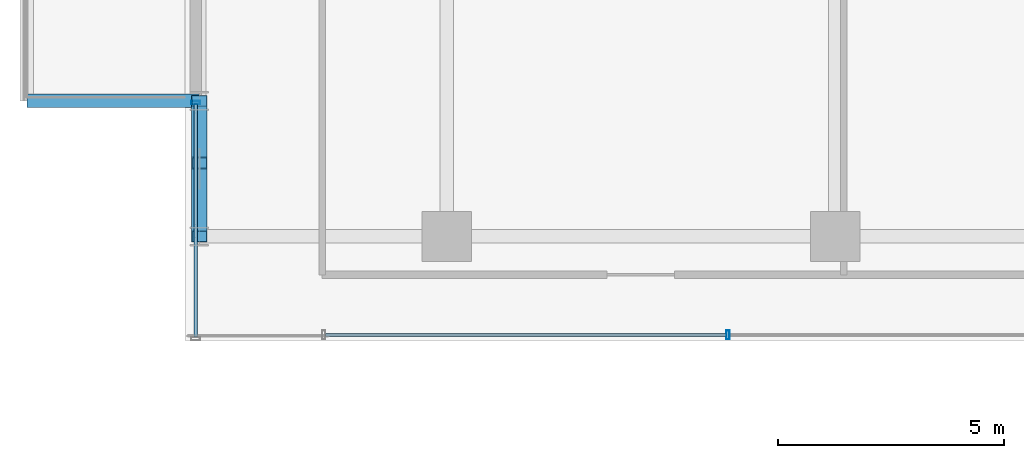
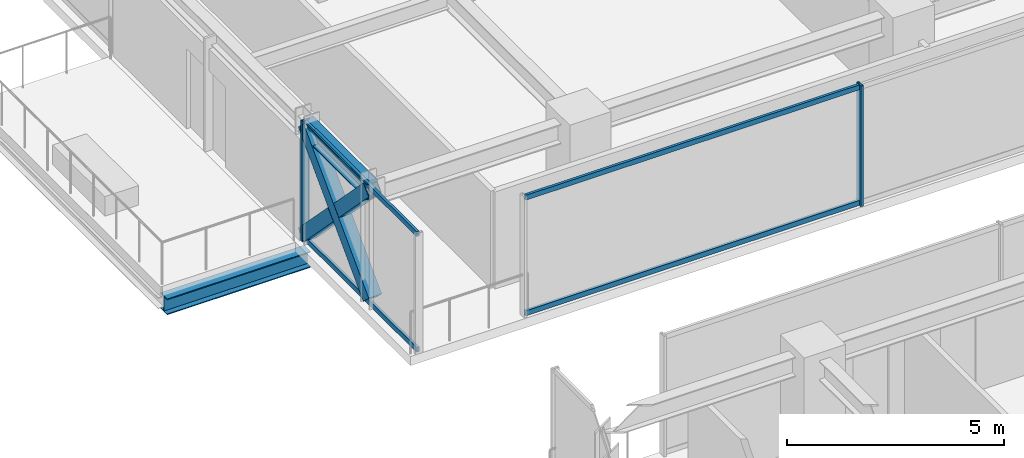
# One storey, part 9 of 43: 9 members, 2 beams, 2 elements without a shape of their own.
"""IFC4 building model written with IfcOpenShell, lengths in metres."""

from ifc_helpers import new_model, si_unit, direction, frame, origin, origin_2d, place, context, subcontext, project, spatial, hollow_rectangle, i_section, extrude, source, transform, mapped, material, material_profile, profile_set, type_object, element, aggregate, save


model = new_model("IFC4")

# Units and contexts
model_context = context("Model", 3, precision=1e-05, world=origin(), true_north=direction((0.0, 1.0)))
body_context = subcontext(model_context, "Body", "Model", "MODEL_VIEW")
ifc_project = project(units=[si_unit("LENGTHUNIT", "METRE"), si_unit("AREAUNIT", "SQUARE_METRE"), si_unit("VOLUMEUNIT", "CUBIC_METRE"), si_unit("PLANEANGLEUNIT", "RADIAN"), si_unit("MASSUNIT", "GRAM", prefix="KILO")], contexts=[model_context])

# Site, building, storey
site_placement = place(None, origin())
site = spatial("IfcSite", under=ifc_project, at=site_placement, CompositionType="ELEMENT")
building_placement = place(site_placement, origin())
building = spatial("IfcBuilding", under=site, at=building_placement, Name="Nahalor Promenade Grand Hotel", CompositionType="ELEMENT")
storey_placement = place(building_placement, frame((0.0, 0.0, 181.85009765625)))
storey = spatial("IfcBuildingStorey", under=building, at=storey_placement, Name="L46", CompositionType="ELEMENT", Elevation=181.85009765625)

# Beams
ifc_material_1 = material(Name="Steel S355JR", Category="steel")
ifc_material_profile_1 = material_profile(ifc_material_1, i_section(OverallWidth=0.3, OverallDepth=0.45, WebThickness=0.014, FlangeThickness=0.026, at=origin_2d()), Name="HEB 450")
ifc_profile_set_1 = profile_set([ifc_material_profile_1], Name="Steel S355JR")
beam_type_1 = type_object("IfcBeamType", Name="Beam-Outrigger-HEB450", PredefinedType="BEAM", material=ifc_profile_set_1)
shared_shape_1 = source(origin(), body_context, "Body", "SweptSolid", [
    extrude(i_section(OverallWidth=0.3, OverallDepth=0.45, WebThickness=0.014, FlangeThickness=0.026, at=origin_2d()), origin(), (0.0, 0.0, 1.0), 3.820068359375),
])
beam_1_placement = place(storey_placement, frame((-26.300048828125, 8.39990234375, -0.505126953125), z_axis=(1.0, 0.0, 0.0), x_axis=(0.0, 1.0, 0.0)))
element("IfcBeam", 1, at=beam_1_placement, inside=storey, type_object=beam_type_1, Name="BM-L46-BC-02-1", PredefinedType="BEAM", context=body_context, shape_type="MappedRepresentation", body=[
    mapped(shared_shape_1, transform((0.0, 0.0, 0.0), scale=1.0)),
])
ifc_material_profile_2 = material_profile(ifc_material_1, i_section(OverallWidth=0.3, OverallDepth=0.45, WebThickness=0.014, FlangeThickness=0.026, at=origin_2d()), Name="HEB 450")
ifc_profile_set_2 = profile_set([ifc_material_profile_2], Name="Steel S355JR")
beam_type_2 = type_object("IfcBeamType", Name="Beam-Spandrel-HEB450", PredefinedType="SPANDREL", material=ifc_profile_set_2)
shared_shape_2 = source(origin(), body_context, "Body", "SweptSolid", [
    extrude(i_section(OverallWidth=0.3, OverallDepth=0.45, WebThickness=0.014, FlangeThickness=0.026, at=origin_2d()), origin(), (0.0, 0.0, 1.0), 3.0),
])
beam_2_placement = place(storey_placement, frame((-22.47998046875, 5.39990234375, 3.164794921875), z_axis=(0.0, 1.0, 0.0), x_axis=(-1.0, 0.0, 0.0)))
element("IfcBeam", 2, at=beam_2_placement, inside=storey, type_object=beam_type_2, Name="BM-L46-SP-W-3", PredefinedType="SPANDREL", context=body_context, shape_type="MappedRepresentation", body=[
    mapped(shared_shape_2, transform((0.0, 0.0, 0.0), scale=1.0)),
])

# Members
ifc_material_profile_3 = material_profile(ifc_material_1, hollow_rectangle(XDim=0.35, YDim=0.35, WallThickness=0.02, at=origin_2d()), Name="SHS 350x350x20")
ifc_profile_set_3 = profile_set([ifc_material_profile_3], Name="Steel S355JR")
member_type_1 = type_object("IfcMemberType", Name="Mem-VoidBrace-SHS350", PredefinedType="BRACE", material=ifc_profile_set_3)
shared_shape_3 = source(origin(), body_context, "Body", "SweptSolid", [
    extrude(hollow_rectangle(XDim=0.35, YDim=0.35, WallThickness=0.02, at=origin_2d()), origin(), (0.0, 0.0, 1.0), 1.96630859375),
])
member_1_placement = place(storey_placement, frame((-22.47998046875, 8.39990234375, 0.14990234375), z_axis=(0.0, -0.696537426897, 0.717520461682), x_axis=(1.0, 0.0, 0.0)))
element("IfcMember", 3, at=member_1_placement, inside=storey, type_object=member_type_1, Name="EXO-L46-VX2-W1A", PredefinedType="BRACE", context=body_context, shape_type="MappedRepresentation", body=[
    mapped(shared_shape_3, transform((0.0, 0.0, 0.0), scale=1.0)),
])
shared_shape_4 = source(origin(), body_context, "Body", "SweptSolid", [
    extrude(hollow_rectangle(XDim=0.35, YDim=0.35, WallThickness=0.02, at=origin_2d()), origin(), (0.0, 0.0, 1.0), 4.306884765625),
])
member_2_placement = place(storey_placement, frame((-22.47998046875, 5.39990234375, 0.14990234375), z_axis=(0.0, 0.696570665899, 0.717488193219), x_axis=(-1.0, 0.0, 0.0)))
element("IfcMember", 4, at=member_2_placement, inside=storey, type_object=member_type_1, Name="EXO-L46-VX1-W1", PredefinedType="BRACE", context=body_context, shape_type="MappedRepresentation", body=[
    mapped(shared_shape_4, transform((0.0, 0.0, 0.0), scale=1.0)),
])
shared_shape_5 = source(origin(), body_context, "Body", "SweptSolid", [
    extrude(hollow_rectangle(XDim=0.35, YDim=0.35, WallThickness=0.02, at=origin_2d()), origin(), (0.0, 0.0, 1.0), 1.966552734375),
])
member_3_placement = place(storey_placement, frame((-22.47998046875, 6.769775390625, 1.8291015625), z_axis=(0.0, -0.696601340579, 0.71745841155), x_axis=(1.0, 0.0, 0.0)))
element("IfcMember", 5, at=member_3_placement, inside=storey, type_object=member_type_1, Name="EXO-L46-VX2-W1B", PredefinedType="BRACE", context=body_context, shape_type="MappedRepresentation", body=[
    mapped(shared_shape_5, transform((0.0, 0.0, 0.0), scale=1.0)),
])

# Curtain wall, members
ifc_material_2 = material(Name="Anodised Bronze Aluminium EN AW-6063 T6", Category="aluminium")
curtain_wall_type = type_object("IfcCurtainWallType", Name="CW3 Elliptical-Void Collar Unitised Curtain Wall", PredefinedType="USERDEFINED", material=ifc_material_2)
curtain_wall_1_placement = place(storey_placement, origin())
curtain_wall_1 = element("IfcCurtainWall", 6, at=curtain_wall_1_placement, inside=storey, type_object=curtain_wall_type, Name="L46 Curtain Wall CW-L46-W-2", ObjectType="UNITISED_CURTAIN_WALL", PredefinedType="USERDEFINED")
ifc_material_profile_4 = material_profile(ifc_material_2, hollow_rectangle(XDim=0.07, YDim=0.14, WallThickness=0.004, at=origin_2d()), Name="CWT 70x140x4")
ifc_profile_set_4 = profile_set([ifc_material_profile_4], Name="Anodised Bronze Aluminium EN AW-6063 T6")
member_type_2 = type_object("IfcMemberType", Name="CWT3 Void Collar Transom 70x140", PredefinedType="USERDEFINED", material=ifc_profile_set_4)
shared_shape_6 = source(origin(), body_context, "Body", "SweptSolid", [
    extrude(hollow_rectangle(XDim=0.07, YDim=0.14, WallThickness=0.004, at=origin_2d()), origin(), (0.0, 0.0, 1.0), 5.16015625),
])
member_4_placement = place(storey_placement, frame((-22.56005859375, 3.169921875, 0.06982421875), z_axis=(0.0, 1.0, 0.0), x_axis=(-1.0, 0.0, 0.0)))
member_4 = element("IfcMember", 7, at=member_4_placement, type_object=member_type_2, Name="CW-L46-W-2 Transom 0-0", ObjectType="TRANSOM", PredefinedType="USERDEFINED", context=body_context, shape_type="MappedRepresentation", body=[
    mapped(shared_shape_6, transform((0.0, 0.0, 0.0), scale=1.0)),
])
member_5_placement = place(storey_placement, frame((-22.56005859375, 3.169921875, 3.31982421875), z_axis=(0.0, 1.0, 0.0), x_axis=(-1.0, 0.0, 0.0)))
member_5 = element("IfcMember", 8, at=member_5_placement, type_object=member_type_2, Name="CW-L46-W-2 Transom 0-1", ObjectType="TRANSOM", PredefinedType="USERDEFINED", context=body_context, shape_type="MappedRepresentation", body=[
    mapped(shared_shape_6, transform((0.0, 0.0, 0.0), scale=1.0)),
])

curtain_wall_2_placement = place(storey_placement, origin())
curtain_wall_2 = element("IfcCurtainWall", 9, at=curtain_wall_2_placement, inside=storey, type_object=curtain_wall_type, Name="L46 Curtain Wall CW-L46-VOID-WN1", ObjectType="UNITISED_CURTAIN_WALL", PredefinedType="USERDEFINED")
shared_shape_7 = source(origin(), body_context, "Body", "SweptSolid", [
    extrude(hollow_rectangle(XDim=0.07, YDim=0.14, WallThickness=0.004, at=origin_2d()), origin(), (0.0, 0.0, 1.0), 8.881591796875),
])
member_6_placement = place(storey_placement, frame((-19.68994140625, 3.219970703125, 0.06982421875), z_axis=(1.0, 0.0, 0.0), x_axis=(0.0, 1.0, 0.0)))
member_6 = element("IfcMember", 10, at=member_6_placement, type_object=member_type_2, Name="CW-L46-VOID-WN1 Transom 0-0", ObjectType="TRANSOM", PredefinedType="USERDEFINED", context=body_context, shape_type="MappedRepresentation", body=[
    mapped(shared_shape_7, transform((0.0, 0.0, 0.0), scale=1.0)),
])
member_7_placement = place(storey_placement, frame((-19.68994140625, 3.219970703125, 3.31982421875), z_axis=(1.0, 0.0, 0.0), x_axis=(0.0, 1.0, 0.0)))
member_7 = element("IfcMember", 11, at=member_7_placement, type_object=member_type_2, Name="CW-L46-VOID-WN1 Transom 0-1", ObjectType="TRANSOM", PredefinedType="USERDEFINED", context=body_context, shape_type="MappedRepresentation", body=[
    mapped(shared_shape_7, transform((0.0, 0.0, 0.0), scale=1.0)),
])

# Member
ifc_material_profile_5 = material_profile(ifc_material_2, hollow_rectangle(XDim=0.07, YDim=0.2, WallThickness=0.005, at=origin_2d()), Name="CWM 70x200x5")
ifc_profile_set_5 = profile_set([ifc_material_profile_5], Name="Anodised Bronze Aluminium EN AW-6063 T6")
member_type_3 = type_object("IfcMemberType", Name="CWM3 Void Collar Mullion 70x200", PredefinedType="MULLION", material=ifc_profile_set_5)
shared_shape_8 = source(origin(), body_context, "Body", "SweptSolid", [
    extrude(hollow_rectangle(XDim=0.07, YDim=0.2, WallThickness=0.005, at=origin_2d()), origin(), (0.0, 0.0, 1.0), 3.389892578125),
])
member_8_placement = place(storey_placement, frame((-22.56005859375, 8.364990234375, 0.0), z_axis=(0.0, 0.0, 1.0), x_axis=(0.0, 1.0, 0.0)))
member_8 = element("IfcMember", 12, at=member_8_placement, type_object=member_type_3, Name="CW-L46-W-2 Mullion 1", PredefinedType="MULLION", context=body_context, shape_type="MappedRepresentation", body=[
    mapped(shared_shape_8, transform((0.0, 0.0, 0.0), scale=1.0)),
])

aggregate(curtain_wall_1, [member_8, member_4, member_5])

member_9_placement = place(storey_placement, frame((-10.7734375, 3.219970703125, 0.0), z_axis=(0.0, 0.0, 1.0), x_axis=(1.0, 0.0, 0.0)))
member_9 = element("IfcMember", 13, at=member_9_placement, type_object=member_type_3, Name="CW-L46-VOID-WN1 Mullion 1", PredefinedType="MULLION", context=body_context, shape_type="MappedRepresentation", body=[
    mapped(shared_shape_8, transform((0.0, 0.0, 0.0), scale=1.0)),
])

aggregate(curtain_wall_2, [member_9, member_6, member_7])

save(model, "model.ifc")
